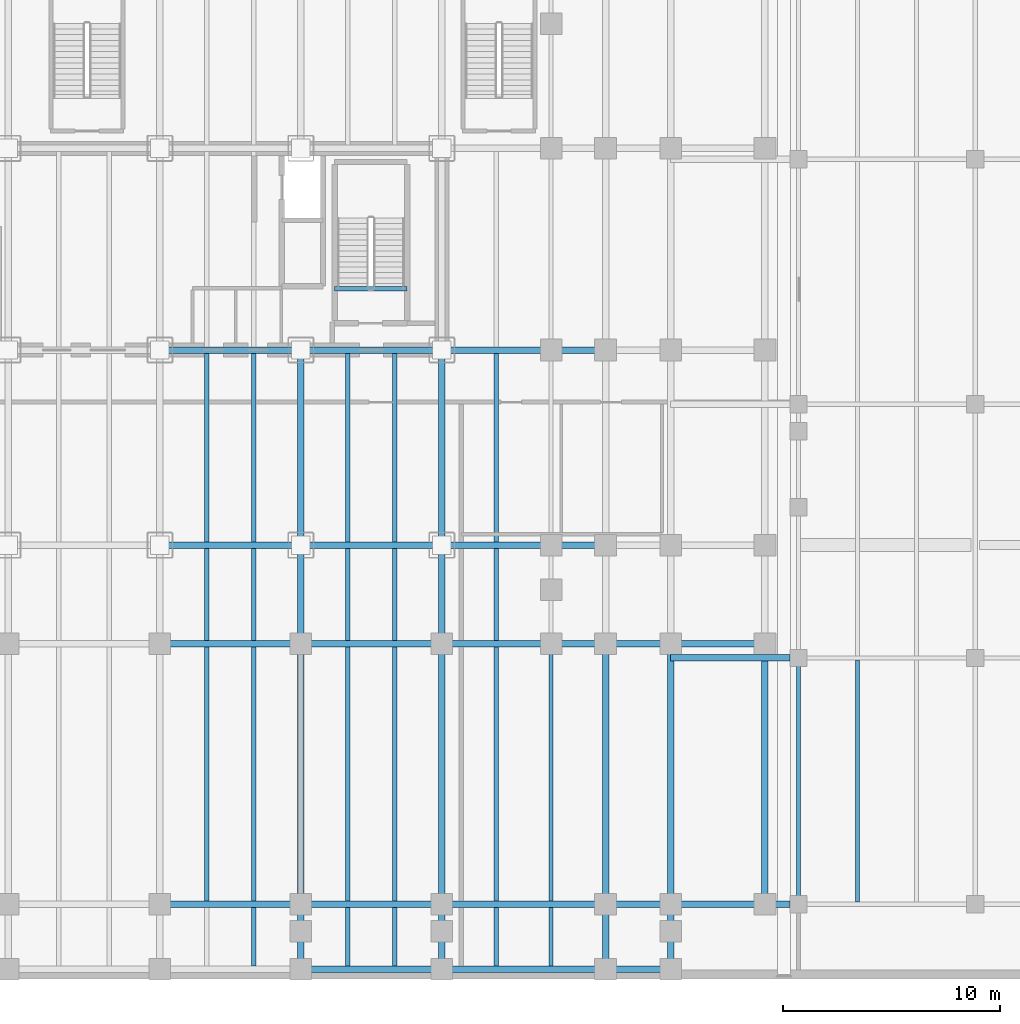
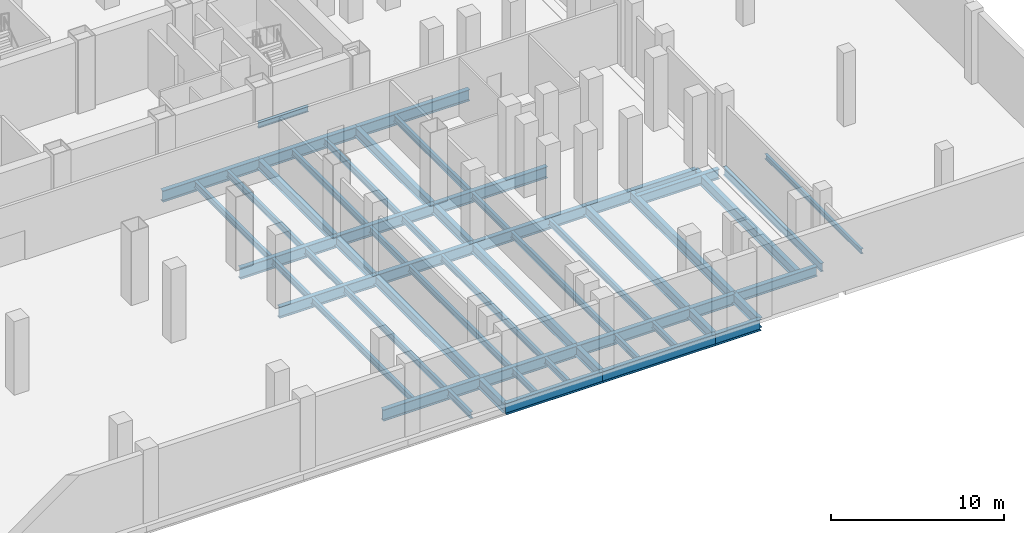
# One storey, part 3 of 15: 57 beams.
"""IFC4 building model written with IfcOpenShell, lengths in metres."""

from ifc_helpers import new_model, si_unit, direction, frame, origin, origin_2d, place, context, subcontext, project, spatial, i_section, extrude, material, material_profile, profile_set, type_object, element, save


model = new_model("IFC4")

# Units and contexts
model_context = context("Model", 3, precision=1e-05, world=origin(), true_north=direction((0.0, 1.0)))
body_context = subcontext(model_context, "Body", "Model", "MODEL_VIEW")
ifc_project = project(units=[si_unit("LENGTHUNIT", "METRE"), si_unit("AREAUNIT", "SQUARE_METRE"), si_unit("VOLUMEUNIT", "CUBIC_METRE"), si_unit("PLANEANGLEUNIT", "RADIAN"), si_unit("MASSUNIT", "GRAM", prefix="KILO")], contexts=[model_context])

# Site, building, storey
site_placement = place(None, origin())
site = spatial("IfcSite", under=ifc_project, at=site_placement, CompositionType="ELEMENT")
building_placement = place(site_placement, origin())
building = spatial("IfcBuilding", under=site, at=building_placement, Name="Noeulbin Bourse Tower", CompositionType="ELEMENT")
storey_placement = place(building_placement, frame((0.0, 0.0, -10.199951171875)))
storey = spatial("IfcBuildingStorey", under=building, at=storey_placement, Name="B02", CompositionType="ELEMENT", Elevation=-10.199951171875)

# Beams
ifc_material = material(Name="Steel S355", Category="steel")
ifc_material_profile_1 = material_profile(ifc_material, i_section(OverallWidth=0.199951171875, OverallDepth=0.60009765625, WebThickness=0.010986328125, FlangeThickness=0.01708984375, FilletRadius=0.02197265625, at=origin_2d()), Name="H-600x200x11x17", Category="LoadBearing")
ifc_profile_set_1 = profile_set([ifc_material_profile_1], Name="Steel S355")
beam_type_1 = type_object("IfcBeamType", Name="BM-GRD-600", PredefinedType="USERDEFINED", material=ifc_profile_set_1)
beam_1_placement = place(storey_placement, frame((60.449951171875, 3.449951171875, -0.580078125), z_axis=(0.0, 1.0, 0.0), x_axis=(-1.0, 0.0, 0.0)))
element("IfcBeam", 1, at=beam_1_placement, inside=storey, type_object=beam_type_1, Name="Market Hall Girder NS B02-11", ObjectType="GIRDER", PredefinedType="USERDEFINED", context=body_context, shape_type="SweptSolid", body=[
    extrude(i_section(OverallWidth=0.199951171875, OverallDepth=0.60009765625, WebThickness=0.010986328125, FlangeThickness=0.01708984375, FilletRadius=0.02197265625, at=origin_2d()), origin(), (0.0, 0.0, 1.0), 11.35009765625),
])
ifc_material_profile_2 = material_profile(ifc_material, i_section(OverallWidth=0.300048828125, OverallDepth=0.699951171875, WebThickness=0.012939453125, FlangeThickness=0.02392578125, FilletRadius=0.02392578125, at=origin_2d()), Name="H-700x300x13x24", Category="LoadBearing")
ifc_profile_set_2 = profile_set([ifc_material_profile_2], Name="Steel S355")
beam_type_2 = type_object("IfcBeamType", Name="BM-GRD-700", PredefinedType="USERDEFINED", material=ifc_profile_set_2)
beam_2_placement = place(storey_placement, frame((37.5, 0.449951171875, -0.630126953125), z_axis=(0.0, 1.0, 0.0), x_axis=(-1.0, 0.0, 0.0)))
element("IfcBeam", 2, at=beam_2_placement, inside=storey, type_object=beam_type_2, Name="Podium Primary Girder NS B02-113", ObjectType="GIRDER", PredefinedType="USERDEFINED", context=body_context, shape_type="SweptSolid", body=[
    extrude(i_section(OverallWidth=0.300048828125, OverallDepth=0.699951171875, WebThickness=0.012939453125, FlangeThickness=0.02392578125, FilletRadius=0.02392578125, at=origin_2d()), origin(), (0.0, 0.0, 1.0), 3.0),
])
beam_3_placement = place(storey_placement, frame((37.5, 3.449951171875, -0.630126953125), z_axis=(0.0, 1.0, 0.0), x_axis=(-1.0, 0.0, 0.0)))
element("IfcBeam", 3, at=beam_3_placement, inside=storey, type_object=beam_type_2, Name="Podium Primary Girder NS B02-114", ObjectType="GIRDER", PredefinedType="USERDEFINED", context=body_context, shape_type="SweptSolid", body=[
    extrude(i_section(OverallWidth=0.300048828125, OverallDepth=0.699951171875, WebThickness=0.012939453125, FlangeThickness=0.02392578125, FilletRadius=0.02392578125, at=origin_2d()), origin(), (0.0, 0.0, 1.0), 12.0),
])
beam_4_placement = place(storey_placement, frame((37.5, 15.449951171875, -0.630126953125), z_axis=(0.0, 1.0, 0.0), x_axis=(-1.0, 0.0, 0.0)))
element("IfcBeam", 4, at=beam_4_placement, inside=storey, type_object=beam_type_2, Name="Podium Primary Girder NS B02-115", ObjectType="GIRDER", PredefinedType="USERDEFINED", context=body_context, shape_type="SweptSolid", body=[
    extrude(i_section(OverallWidth=0.300048828125, OverallDepth=0.699951171875, WebThickness=0.012939453125, FlangeThickness=0.02392578125, FilletRadius=0.02392578125, at=origin_2d()), origin(), (0.0, 0.0, 1.0), 4.550048828125),
])
beam_5_placement = place(storey_placement, frame((37.5, 20.0, -0.630126953125), z_axis=(0.0, 1.0, 0.0), x_axis=(-1.0, 0.0, 0.0)))
element("IfcBeam", 5, at=beam_5_placement, inside=storey, type_object=beam_type_2, Name="Podium Primary Girder NS B02-116", ObjectType="GIRDER", PredefinedType="USERDEFINED", context=body_context, shape_type="SweptSolid", body=[
    extrude(i_section(OverallWidth=0.300048828125, OverallDepth=0.699951171875, WebThickness=0.012939453125, FlangeThickness=0.02392578125, FilletRadius=0.02392578125, at=origin_2d()), origin(), (0.0, 0.0, 1.0), 9.0),
])
beam_6_placement = place(storey_placement, frame((44.0, 0.449951171875, -0.630126953125), z_axis=(0.0, 1.0, 0.0), x_axis=(-1.0, 0.0, 0.0)))
element("IfcBeam", 6, at=beam_6_placement, inside=storey, type_object=beam_type_2, Name="Podium Primary Girder NS B02-120", ObjectType="GIRDER", PredefinedType="USERDEFINED", context=body_context, shape_type="SweptSolid", body=[
    extrude(i_section(OverallWidth=0.300048828125, OverallDepth=0.699951171875, WebThickness=0.012939453125, FlangeThickness=0.02392578125, FilletRadius=0.02392578125, at=origin_2d()), origin(), (0.0, 0.0, 1.0), 3.0),
])
beam_7_placement = place(storey_placement, frame((44.0, 3.449951171875, -0.630126953125), z_axis=(0.0, 1.0, 0.0), x_axis=(-1.0, 0.0, 0.0)))
element("IfcBeam", 7, at=beam_7_placement, inside=storey, type_object=beam_type_2, Name="Podium Primary Girder NS B02-121", ObjectType="GIRDER", PredefinedType="USERDEFINED", context=body_context, shape_type="SweptSolid", body=[
    extrude(i_section(OverallWidth=0.300048828125, OverallDepth=0.699951171875, WebThickness=0.012939453125, FlangeThickness=0.02392578125, FilletRadius=0.02392578125, at=origin_2d()), origin(), (0.0, 0.0, 1.0), 12.0),
])
beam_8_placement = place(storey_placement, frame((44.0, 15.449951171875, -0.630126953125), z_axis=(0.0, 1.0, 0.0), x_axis=(-1.0, 0.0, 0.0)))
element("IfcBeam", 8, at=beam_8_placement, inside=storey, type_object=beam_type_2, Name="Podium Primary Girder NS B02-122", ObjectType="GIRDER", PredefinedType="USERDEFINED", context=body_context, shape_type="SweptSolid", body=[
    extrude(i_section(OverallWidth=0.300048828125, OverallDepth=0.699951171875, WebThickness=0.012939453125, FlangeThickness=0.02392578125, FilletRadius=0.02392578125, at=origin_2d()), origin(), (0.0, 0.0, 1.0), 4.550048828125),
])
beam_9_placement = place(storey_placement, frame((44.0, 20.0, -0.630126953125), z_axis=(0.0, 1.0, 0.0), x_axis=(-1.0, 0.0, 0.0)))
element("IfcBeam", 9, at=beam_9_placement, inside=storey, type_object=beam_type_2, Name="Podium Primary Girder NS B02-123", ObjectType="GIRDER", PredefinedType="USERDEFINED", context=body_context, shape_type="SweptSolid", body=[
    extrude(i_section(OverallWidth=0.300048828125, OverallDepth=0.699951171875, WebThickness=0.012939453125, FlangeThickness=0.02392578125, FilletRadius=0.02392578125, at=origin_2d()), origin(), (0.0, 0.0, 1.0), 9.0),
])
beam_10_placement = place(storey_placement, frame((51.550048828125, 0.449951171875, -0.630126953125), z_axis=(0.0, 1.0, 0.0), x_axis=(-1.0, 0.0, 0.0)))
element("IfcBeam", 10, at=beam_10_placement, inside=storey, type_object=beam_type_2, Name="Podium Primary Girder NS B02-128", ObjectType="GIRDER", PredefinedType="USERDEFINED", context=body_context, shape_type="SweptSolid", body=[
    extrude(i_section(OverallWidth=0.300048828125, OverallDepth=0.699951171875, WebThickness=0.012939453125, FlangeThickness=0.02392578125, FilletRadius=0.02392578125, at=origin_2d()), origin(), (0.0, 0.0, 1.0), 3.0),
])
beam_11_placement = place(storey_placement, frame((51.550048828125, 3.449951171875, -0.630126953125), z_axis=(0.0, 1.0, 0.0), x_axis=(-1.0, 0.0, 0.0)))
element("IfcBeam", 11, at=beam_11_placement, inside=storey, type_object=beam_type_2, Name="Podium Primary Girder NS B02-129", ObjectType="GIRDER", PredefinedType="USERDEFINED", context=body_context, shape_type="SweptSolid", body=[
    extrude(i_section(OverallWidth=0.300048828125, OverallDepth=0.699951171875, WebThickness=0.012939453125, FlangeThickness=0.02392578125, FilletRadius=0.02392578125, at=origin_2d()), origin(), (0.0, 0.0, 1.0), 12.0),
])
beam_12_placement = place(storey_placement, frame((54.550048828125, 0.449951171875, -0.630126953125), z_axis=(0.0, 1.0, 0.0), x_axis=(-1.0, 0.0, 0.0)))
element("IfcBeam", 12, at=beam_12_placement, inside=storey, type_object=beam_type_2, Name="Podium Primary Girder NS B02-136", ObjectType="GIRDER", PredefinedType="USERDEFINED", context=body_context, shape_type="SweptSolid", body=[
    extrude(i_section(OverallWidth=0.300048828125, OverallDepth=0.699951171875, WebThickness=0.012939453125, FlangeThickness=0.02392578125, FilletRadius=0.02392578125, at=origin_2d()), origin(), (0.0, 0.0, 1.0), 3.0),
])
beam_13_placement = place(storey_placement, frame((54.550048828125, 3.449951171875, -0.630126953125), z_axis=(0.0, 1.0, 0.0), x_axis=(-1.0, 0.0, 0.0)))
element("IfcBeam", 13, at=beam_13_placement, inside=storey, type_object=beam_type_2, Name="Podium Primary Girder NS B02-137", ObjectType="GIRDER", PredefinedType="USERDEFINED", context=body_context, shape_type="SweptSolid", body=[
    extrude(i_section(OverallWidth=0.300048828125, OverallDepth=0.699951171875, WebThickness=0.012939453125, FlangeThickness=0.02392578125, FilletRadius=0.02392578125, at=origin_2d()), origin(), (0.0, 0.0, 1.0), 12.0),
])
for number, where, z_axis, x_axis, name in (
    (14, (54.550048828125, 3.449951171875, -0.630126953125), (1.0, 0.0, 0.0), (0.0, 1.0, 0.0), "Concourse Slot Girder B02-01"),
    (15, (54.550048828125, 14.800048828125, -0.630126953125), (1.0, 0.0, 0.0), (0.0, 1.0, 0.0), "Concourse Slot Girder B02-02"),
):
    element("IfcBeam", number, at=place(storey_placement, frame(where, z_axis=z_axis, x_axis=x_axis)), inside=storey, type_object=beam_type_2, Name=name, ObjectType="GIRDER", PredefinedType="USERDEFINED", context=body_context, shape_type="SweptSolid", body=[
        extrude(i_section(OverallWidth=0.300048828125, OverallDepth=0.699951171875, WebThickness=0.012939453125, FlangeThickness=0.02392578125, FilletRadius=0.02392578125, at=origin_2d()), origin(), (0.0, 0.0, 1.0), 5.5),
    ])
beam_14_placement = place(storey_placement, frame((54.550048828125, 15.449951171875, -0.630126953125), z_axis=(1.0, 0.0, 0.0), x_axis=(0.0, 1.0, 0.0)))
element("IfcBeam", 16, at=beam_14_placement, inside=storey, type_object=beam_type_2, Name="BM-B02-JNT-EW-2", ObjectType="GIRDER", PredefinedType="USERDEFINED", context=body_context, shape_type="SweptSolid", body=[
    extrude(i_section(OverallWidth=0.300048828125, OverallDepth=0.699951171875, WebThickness=0.012939453125, FlangeThickness=0.02392578125, FilletRadius=0.02392578125, at=origin_2d()), origin(), (0.0, 0.0, 1.0), 4.349853515625),
])
beam_15_placement = place(storey_placement, frame((58.89990234375, 3.449951171875, -0.630126953125), z_axis=(0.0, 1.0, 0.0), x_axis=(-1.0, 0.0, 0.0)))
element("IfcBeam", 17, at=beam_15_placement, inside=storey, type_object=beam_type_2, Name="BM-B02-JNT-NS-1", ObjectType="GIRDER", PredefinedType="USERDEFINED", context=body_context, shape_type="SweptSolid", body=[
    extrude(i_section(OverallWidth=0.300048828125, OverallDepth=0.699951171875, WebThickness=0.012939453125, FlangeThickness=0.02392578125, FilletRadius=0.02392578125, at=origin_2d()), origin(), (0.0, 0.0, 1.0), 12.0),
])
ifc_material_profile_3 = material_profile(ifc_material, i_section(OverallWidth=0.300048828125, OverallDepth=0.800048828125, WebThickness=0.013916015625, FlangeThickness=0.02587890625, FilletRadius=0.02587890625, at=origin_2d()), Name="H-800x300x14x26", Category="LoadBearing")
ifc_profile_set_3 = profile_set([ifc_material_profile_3], Name="Steel S355")
beam_type_3 = type_object("IfcBeamType", Name="BM-GRD-800", PredefinedType="USERDEFINED", material=ifc_profile_set_3)
beam_16_placement = place(storey_placement, frame((37.5, 0.449951171875, -0.679931640625), z_axis=(1.0, 0.0, 0.0), x_axis=(0.0, 1.0, 0.0)))
element("IfcBeam", 18, at=beam_16_placement, inside=storey, type_object=beam_type_3, Name="Podium Primary Girder EW B02-006", ObjectType="GIRDER", PredefinedType="USERDEFINED", context=body_context, shape_type="SweptSolid", body=[
    extrude(i_section(OverallWidth=0.300048828125, OverallDepth=0.800048828125, WebThickness=0.013916015625, FlangeThickness=0.02587890625, FilletRadius=0.02587890625, at=origin_2d()), origin(), (0.0, 0.0, 1.0), 6.5),
])
beam_17_placement = place(storey_placement, frame((44.0, 0.449951171875, -0.679931640625), z_axis=(1.0, 0.0, 0.0), x_axis=(0.0, 1.0, 0.0)))
element("IfcBeam", 19, at=beam_17_placement, inside=storey, type_object=beam_type_3, Name="Podium Primary Girder EW B02-007", ObjectType="GIRDER", PredefinedType="USERDEFINED", context=body_context, shape_type="SweptSolid", body=[
    extrude(i_section(OverallWidth=0.300048828125, OverallDepth=0.800048828125, WebThickness=0.013916015625, FlangeThickness=0.02587890625, FilletRadius=0.02587890625, at=origin_2d()), origin(), (0.0, 0.0, 1.0), 7.550048828125),
])
beam_18_placement = place(storey_placement, frame((51.550048828125, 0.449951171875, -0.679931640625), z_axis=(1.0, 0.0, 0.0), x_axis=(0.0, 1.0, 0.0)))
element("IfcBeam", 20, at=beam_18_placement, inside=storey, type_object=beam_type_3, Name="Podium Primary Girder EW B02-008", ObjectType="GIRDER", PredefinedType="USERDEFINED", context=body_context, shape_type="SweptSolid", body=[
    extrude(i_section(OverallWidth=0.300048828125, OverallDepth=0.800048828125, WebThickness=0.013916015625, FlangeThickness=0.02587890625, FilletRadius=0.02587890625, at=origin_2d()), origin(), (0.0, 0.0, 1.0), 3.0),
])
for number, where, z_axis, x_axis, name in (
    (21, (31.0, 3.449951171875, -0.679931640625), (1.0, 0.0, 0.0), (0.0, 1.0, 0.0), "Podium Primary Girder EW B02-013"),
    (22, (37.5, 3.449951171875, -0.679931640625), (1.0, 0.0, 0.0), (0.0, 1.0, 0.0), "Podium Primary Girder EW B02-014"),
):
    element("IfcBeam", number, at=place(storey_placement, frame(where, z_axis=z_axis, x_axis=x_axis)), inside=storey, type_object=beam_type_3, Name=name, ObjectType="GIRDER", PredefinedType="USERDEFINED", context=body_context, shape_type="SweptSolid", body=[
        extrude(i_section(OverallWidth=0.300048828125, OverallDepth=0.800048828125, WebThickness=0.013916015625, FlangeThickness=0.02587890625, FilletRadius=0.02587890625, at=origin_2d()), origin(), (0.0, 0.0, 1.0), 6.5),
    ])
beam_19_placement = place(storey_placement, frame((44.0, 3.449951171875, -0.679931640625), z_axis=(1.0, 0.0, 0.0), x_axis=(0.0, 1.0, 0.0)))
element("IfcBeam", 23, at=beam_19_placement, inside=storey, type_object=beam_type_3, Name="Podium Primary Girder EW B02-015", ObjectType="GIRDER", PredefinedType="USERDEFINED", context=body_context, shape_type="SweptSolid", body=[
    extrude(i_section(OverallWidth=0.300048828125, OverallDepth=0.800048828125, WebThickness=0.013916015625, FlangeThickness=0.02587890625, FilletRadius=0.02587890625, at=origin_2d()), origin(), (0.0, 0.0, 1.0), 7.550048828125),
])
beam_20_placement = place(storey_placement, frame((51.550048828125, 3.449951171875, -0.679931640625), z_axis=(1.0, 0.0, 0.0), x_axis=(0.0, 1.0, 0.0)))
element("IfcBeam", 24, at=beam_20_placement, inside=storey, type_object=beam_type_3, Name="Podium Primary Girder EW B02-016", ObjectType="GIRDER", PredefinedType="USERDEFINED", context=body_context, shape_type="SweptSolid", body=[
    extrude(i_section(OverallWidth=0.300048828125, OverallDepth=0.800048828125, WebThickness=0.013916015625, FlangeThickness=0.02587890625, FilletRadius=0.02587890625, at=origin_2d()), origin(), (0.0, 0.0, 1.0), 3.0),
])
for number, where, z_axis, x_axis, name in (
    (25, (31.0, 15.449951171875, -0.679931640625), (1.0, 0.0, 0.0), (0.0, 1.0, 0.0), "Podium Primary Girder EW B02-021"),
    (26, (37.5, 15.449951171875, -0.679931640625), (1.0, 0.0, 0.0), (0.0, 1.0, 0.0), "Podium Primary Girder EW B02-022"),
):
    element("IfcBeam", number, at=place(storey_placement, frame(where, z_axis=z_axis, x_axis=x_axis)), inside=storey, type_object=beam_type_3, Name=name, ObjectType="GIRDER", PredefinedType="USERDEFINED", context=body_context, shape_type="SweptSolid", body=[
        extrude(i_section(OverallWidth=0.300048828125, OverallDepth=0.800048828125, WebThickness=0.013916015625, FlangeThickness=0.02587890625, FilletRadius=0.02587890625, at=origin_2d()), origin(), (0.0, 0.0, 1.0), 6.5),
    ])
beam_21_placement = place(storey_placement, frame((44.0, 15.449951171875, -0.679931640625), z_axis=(1.0, 0.0, 0.0), x_axis=(0.0, 1.0, 0.0)))
element("IfcBeam", 27, at=beam_21_placement, inside=storey, type_object=beam_type_3, Name="Podium Primary Girder EW B02-023", ObjectType="GIRDER", PredefinedType="USERDEFINED", context=body_context, shape_type="SweptSolid", body=[
    extrude(i_section(OverallWidth=0.300048828125, OverallDepth=0.800048828125, WebThickness=0.013916015625, FlangeThickness=0.02587890625, FilletRadius=0.02587890625, at=origin_2d()), origin(), (0.0, 0.0, 1.0), 7.550048828125),
])
beam_22_placement = place(storey_placement, frame((51.550048828125, 15.449951171875, -0.679931640625), z_axis=(1.0, 0.0, 0.0), x_axis=(0.0, 1.0, 0.0)))
element("IfcBeam", 28, at=beam_22_placement, inside=storey, type_object=beam_type_3, Name="Podium Primary Girder EW B02-024", ObjectType="GIRDER", PredefinedType="USERDEFINED", context=body_context, shape_type="SweptSolid", body=[
    extrude(i_section(OverallWidth=0.300048828125, OverallDepth=0.800048828125, WebThickness=0.013916015625, FlangeThickness=0.02587890625, FilletRadius=0.02587890625, at=origin_2d()), origin(), (0.0, 0.0, 1.0), 3.0),
])
for number, where, z_axis, x_axis, name in (
    (29, (31.0, 20.0, -0.679931640625), (1.0, 0.0, 0.0), (0.0, 1.0, 0.0), "Podium Primary Girder EW B02-029"),
    (30, (37.5, 20.0, -0.679931640625), (1.0, 0.0, 0.0), (0.0, 1.0, 0.0), "Podium Primary Girder EW B02-030"),
):
    element("IfcBeam", number, at=place(storey_placement, frame(where, z_axis=z_axis, x_axis=x_axis)), inside=storey, type_object=beam_type_3, Name=name, ObjectType="GIRDER", PredefinedType="USERDEFINED", context=body_context, shape_type="SweptSolid", body=[
        extrude(i_section(OverallWidth=0.300048828125, OverallDepth=0.800048828125, WebThickness=0.013916015625, FlangeThickness=0.02587890625, FilletRadius=0.02587890625, at=origin_2d()), origin(), (0.0, 0.0, 1.0), 6.5),
    ])
beam_23_placement = place(storey_placement, frame((44.0, 20.0, -0.679931640625), z_axis=(1.0, 0.0, 0.0), x_axis=(0.0, 1.0, 0.0)))
element("IfcBeam", 31, at=beam_23_placement, inside=storey, type_object=beam_type_3, Name="Podium Primary Girder EW B02-031", ObjectType="GIRDER", PredefinedType="USERDEFINED", context=body_context, shape_type="SweptSolid", body=[
    extrude(i_section(OverallWidth=0.300048828125, OverallDepth=0.800048828125, WebThickness=0.013916015625, FlangeThickness=0.02587890625, FilletRadius=0.02587890625, at=origin_2d()), origin(), (0.0, 0.0, 1.0), 7.550048828125),
])
for number, where, z_axis, x_axis, name in (
    (32, (31.0, 29.0, -0.679931640625), (1.0, 0.0, 0.0), (0.0, 1.0, 0.0), "Podium Primary Girder EW B02-037"),
    (33, (37.5, 29.0, -0.679931640625), (1.0, 0.0, 0.0), (0.0, 1.0, 0.0), "Podium Primary Girder EW B02-038"),
):
    element("IfcBeam", number, at=place(storey_placement, frame(where, z_axis=z_axis, x_axis=x_axis)), inside=storey, type_object=beam_type_3, Name=name, ObjectType="GIRDER", PredefinedType="USERDEFINED", context=body_context, shape_type="SweptSolid", body=[
        extrude(i_section(OverallWidth=0.300048828125, OverallDepth=0.800048828125, WebThickness=0.013916015625, FlangeThickness=0.02587890625, FilletRadius=0.02587890625, at=origin_2d()), origin(), (0.0, 0.0, 1.0), 6.5),
    ])
beam_24_placement = place(storey_placement, frame((44.0, 29.0, -0.679931640625), z_axis=(1.0, 0.0, 0.0), x_axis=(0.0, 1.0, 0.0)))
element("IfcBeam", 34, at=beam_24_placement, inside=storey, type_object=beam_type_3, Name="Podium Primary Girder EW B02-039", ObjectType="GIRDER", PredefinedType="USERDEFINED", context=body_context, shape_type="SweptSolid", body=[
    extrude(i_section(OverallWidth=0.300048828125, OverallDepth=0.800048828125, WebThickness=0.013916015625, FlangeThickness=0.02587890625, FilletRadius=0.02587890625, at=origin_2d()), origin(), (0.0, 0.0, 1.0), 7.550048828125),
])
ifc_material_profile_4 = material_profile(ifc_material, i_section(OverallWidth=0.175048828125, OverallDepth=0.35009765625, WebThickness=0.007080078125, FlangeThickness=0.010986328125, FilletRadius=0.013916015625, at=origin_2d()), Name="H-350x175x7x11", Category="LoadBearing")
ifc_profile_set_4 = profile_set([ifc_material_profile_4], Name="Steel S355")
beam_type_4 = type_object("IfcBeamType", Name="BM-JST-350", PredefinedType="JOIST", material=ifc_profile_set_4)
beam_25_placement = place(storey_placement, frame((63.166748046875, 3.550048828125, -0.455078125), z_axis=(0.0, 1.0, 0.0), x_axis=(-1.0, 0.0, 0.0)))
element("IfcBeam", 35, at=beam_25_placement, inside=storey, type_object=beam_type_4, Name="Market Hall Secondary Joist B02-01", PredefinedType="JOIST", context=body_context, shape_type="SweptSolid", body=[
    extrude(i_section(OverallWidth=0.175048828125, OverallDepth=0.35009765625, WebThickness=0.007080078125, FlangeThickness=0.010986328125, FilletRadius=0.013916015625, at=origin_2d()), origin(), (0.0, 0.0, 1.0), 11.14990234375),
])
ifc_material_profile_5 = material_profile(ifc_material, i_section(OverallWidth=0.199951171875, OverallDepth=0.39990234375, WebThickness=0.008056640625, FlangeThickness=0.012939453125, FilletRadius=0.01611328125, at=origin_2d()), Name="H-400x200x8x13", Category="LoadBearing")
ifc_profile_set_5 = profile_set([ifc_material_profile_5], Name="Steel S355")
beam_type_5 = type_object("IfcBeamType", Name="BM-SEC-400", PredefinedType="BEAM", material=ifc_profile_set_5)
beam_26_placement = place(storey_placement, frame((39.06005859375, 31.820068359375, -0.199951171875), z_axis=(1.0, 0.0, 0.0), x_axis=(0.0, 1.0, 0.0)))
element("IfcBeam", 36, at=beam_26_placement, inside=storey, type_object=beam_type_5, Name="Stair Threshold Trimmer Beam ST2-B02", PredefinedType="BEAM", context=body_context, shape_type="SweptSolid", body=[
    extrude(i_section(OverallWidth=0.199951171875, OverallDepth=0.39990234375, WebThickness=0.008056640625, FlangeThickness=0.012939453125, FilletRadius=0.01611328125, at=origin_2d()), origin(), (0.0, 0.0, 1.0), 3.33984375),
])
ifc_material_profile_6 = material_profile(ifc_material, i_section(OverallWidth=0.199951171875, OverallDepth=0.449951171875, WebThickness=0.009033203125, FlangeThickness=0.013916015625, FilletRadius=0.01806640625, at=origin_2d()), Name="H-450x200x9x14", Category="LoadBearing")
ifc_profile_set_6 = profile_set([ifc_material_profile_6], Name="Steel S355")
beam_type_6 = type_object("IfcBeamType", Name="BM-SEC-450", PredefinedType="BEAM", material=ifc_profile_set_6)
beam_27_placement = place(storey_placement, frame((33.166748046875, 3.60009765625, -0.505126953125), z_axis=(0.0, 1.0, 0.0), x_axis=(-1.0, 0.0, 0.0)))
element("IfcBeam", 37, at=beam_27_placement, inside=storey, type_object=beam_type_6, Name="Podium Secondary Beam B02-074", PredefinedType="BEAM", context=body_context, shape_type="SweptSolid", body=[
    extrude(i_section(OverallWidth=0.199951171875, OverallDepth=0.449951171875, WebThickness=0.009033203125, FlangeThickness=0.013916015625, FilletRadius=0.01806640625, at=origin_2d()), origin(), (0.0, 0.0, 1.0), 11.699951171875),
])
beam_28_placement = place(storey_placement, frame((33.166748046875, 15.60009765625, -0.505126953125), z_axis=(0.0, 1.0, 0.0), x_axis=(-1.0, 0.0, 0.0)))
element("IfcBeam", 38, at=beam_28_placement, inside=storey, type_object=beam_type_6, Name="Podium Secondary Beam B02-075", PredefinedType="BEAM", context=body_context, shape_type="SweptSolid", body=[
    extrude(i_section(OverallWidth=0.199951171875, OverallDepth=0.449951171875, WebThickness=0.009033203125, FlangeThickness=0.013916015625, FilletRadius=0.01806640625, at=origin_2d()), origin(), (0.0, 0.0, 1.0), 4.25),
])
beam_29_placement = place(storey_placement, frame((33.166748046875, 20.14990234375, -0.505126953125), z_axis=(0.0, 1.0, 0.0), x_axis=(-1.0, 0.0, 0.0)))
element("IfcBeam", 39, at=beam_29_placement, inside=storey, type_object=beam_type_6, Name="Podium Secondary Beam B02-076", PredefinedType="BEAM", context=body_context, shape_type="SweptSolid", body=[
    extrude(i_section(OverallWidth=0.199951171875, OverallDepth=0.449951171875, WebThickness=0.009033203125, FlangeThickness=0.013916015625, FilletRadius=0.01806640625, at=origin_2d()), origin(), (0.0, 0.0, 1.0), 8.7001953125),
])
beam_30_placement = place(storey_placement, frame((35.333251953125, 0.60009765625, -0.505126953125), z_axis=(0.0, 1.0, 0.0), x_axis=(-1.0, 0.0, 0.0)))
element("IfcBeam", 40, at=beam_30_placement, inside=storey, type_object=beam_type_6, Name="Podium Secondary Beam B02-081", PredefinedType="BEAM", context=body_context, shape_type="SweptSolid", body=[
    extrude(i_section(OverallWidth=0.199951171875, OverallDepth=0.449951171875, WebThickness=0.009033203125, FlangeThickness=0.013916015625, FilletRadius=0.01806640625, at=origin_2d()), origin(), (0.0, 0.0, 1.0), 2.699951171875),
])
beam_31_placement = place(storey_placement, frame((35.333251953125, 3.60009765625, -0.505126953125), z_axis=(0.0, 1.0, 0.0), x_axis=(-1.0, 0.0, 0.0)))
element("IfcBeam", 41, at=beam_31_placement, inside=storey, type_object=beam_type_6, Name="Podium Secondary Beam B02-082", PredefinedType="BEAM", context=body_context, shape_type="SweptSolid", body=[
    extrude(i_section(OverallWidth=0.199951171875, OverallDepth=0.449951171875, WebThickness=0.009033203125, FlangeThickness=0.013916015625, FilletRadius=0.01806640625, at=origin_2d()), origin(), (0.0, 0.0, 1.0), 11.699951171875),
])
beam_32_placement = place(storey_placement, frame((35.333251953125, 15.60009765625, -0.505126953125), z_axis=(0.0, 1.0, 0.0), x_axis=(-1.0, 0.0, 0.0)))
element("IfcBeam", 42, at=beam_32_placement, inside=storey, type_object=beam_type_6, Name="Podium Secondary Beam B02-083", PredefinedType="BEAM", context=body_context, shape_type="SweptSolid", body=[
    extrude(i_section(OverallWidth=0.199951171875, OverallDepth=0.449951171875, WebThickness=0.009033203125, FlangeThickness=0.013916015625, FilletRadius=0.01806640625, at=origin_2d()), origin(), (0.0, 0.0, 1.0), 4.25),
])
beam_33_placement = place(storey_placement, frame((35.333251953125, 20.14990234375, -0.505126953125), z_axis=(0.0, 1.0, 0.0), x_axis=(-1.0, 0.0, 0.0)))
element("IfcBeam", 43, at=beam_33_placement, inside=storey, type_object=beam_type_6, Name="Podium Secondary Beam B02-084", PredefinedType="BEAM", context=body_context, shape_type="SweptSolid", body=[
    extrude(i_section(OverallWidth=0.199951171875, OverallDepth=0.449951171875, WebThickness=0.009033203125, FlangeThickness=0.013916015625, FilletRadius=0.01806640625, at=origin_2d()), origin(), (0.0, 0.0, 1.0), 8.7001953125),
])
beam_34_placement = place(storey_placement, frame((39.666748046875, 0.60009765625, -0.505126953125), z_axis=(0.0, 1.0, 0.0), x_axis=(-1.0, 0.0, 0.0)))
element("IfcBeam", 44, at=beam_34_placement, inside=storey, type_object=beam_type_6, Name="Podium Secondary Beam B02-089", PredefinedType="BEAM", context=body_context, shape_type="SweptSolid", body=[
    extrude(i_section(OverallWidth=0.199951171875, OverallDepth=0.449951171875, WebThickness=0.009033203125, FlangeThickness=0.013916015625, FilletRadius=0.01806640625, at=origin_2d()), origin(), (0.0, 0.0, 1.0), 2.699951171875),
])
beam_35_placement = place(storey_placement, frame((39.666748046875, 3.60009765625, -0.505126953125), z_axis=(0.0, 1.0, 0.0), x_axis=(-1.0, 0.0, 0.0)))
element("IfcBeam", 45, at=beam_35_placement, inside=storey, type_object=beam_type_6, Name="Podium Secondary Beam B02-090", PredefinedType="BEAM", context=body_context, shape_type="SweptSolid", body=[
    extrude(i_section(OverallWidth=0.199951171875, OverallDepth=0.449951171875, WebThickness=0.009033203125, FlangeThickness=0.013916015625, FilletRadius=0.01806640625, at=origin_2d()), origin(), (0.0, 0.0, 1.0), 11.699951171875),
])
beam_36_placement = place(storey_placement, frame((39.666748046875, 15.60009765625, -0.505126953125), z_axis=(0.0, 1.0, 0.0), x_axis=(-1.0, 0.0, 0.0)))
element("IfcBeam", 46, at=beam_36_placement, inside=storey, type_object=beam_type_6, Name="Podium Secondary Beam B02-091", PredefinedType="BEAM", context=body_context, shape_type="SweptSolid", body=[
    extrude(i_section(OverallWidth=0.199951171875, OverallDepth=0.449951171875, WebThickness=0.009033203125, FlangeThickness=0.013916015625, FilletRadius=0.01806640625, at=origin_2d()), origin(), (0.0, 0.0, 1.0), 4.25),
])
beam_37_placement = place(storey_placement, frame((39.666748046875, 20.14990234375, -0.505126953125), z_axis=(0.0, 1.0, 0.0), x_axis=(-1.0, 0.0, 0.0)))
element("IfcBeam", 47, at=beam_37_placement, inside=storey, type_object=beam_type_6, Name="Podium Secondary Beam B02-092", PredefinedType="BEAM", context=body_context, shape_type="SweptSolid", body=[
    extrude(i_section(OverallWidth=0.199951171875, OverallDepth=0.449951171875, WebThickness=0.009033203125, FlangeThickness=0.013916015625, FilletRadius=0.01806640625, at=origin_2d()), origin(), (0.0, 0.0, 1.0), 8.7001953125),
])
beam_38_placement = place(storey_placement, frame((41.833251953125, 0.60009765625, -0.505126953125), z_axis=(0.0, 1.0, 0.0), x_axis=(-1.0, 0.0, 0.0)))
element("IfcBeam", 48, at=beam_38_placement, inside=storey, type_object=beam_type_6, Name="Podium Secondary Beam B02-096", PredefinedType="BEAM", context=body_context, shape_type="SweptSolid", body=[
    extrude(i_section(OverallWidth=0.199951171875, OverallDepth=0.449951171875, WebThickness=0.009033203125, FlangeThickness=0.013916015625, FilletRadius=0.01806640625, at=origin_2d()), origin(), (0.0, 0.0, 1.0), 2.699951171875),
])
beam_39_placement = place(storey_placement, frame((41.833251953125, 3.60009765625, -0.505126953125), z_axis=(0.0, 1.0, 0.0), x_axis=(-1.0, 0.0, 0.0)))
element("IfcBeam", 49, at=beam_39_placement, inside=storey, type_object=beam_type_6, Name="Podium Secondary Beam B02-097", PredefinedType="BEAM", context=body_context, shape_type="SweptSolid", body=[
    extrude(i_section(OverallWidth=0.199951171875, OverallDepth=0.449951171875, WebThickness=0.009033203125, FlangeThickness=0.013916015625, FilletRadius=0.01806640625, at=origin_2d()), origin(), (0.0, 0.0, 1.0), 11.699951171875),
])
beam_40_placement = place(storey_placement, frame((41.833251953125, 15.60009765625, -0.505126953125), z_axis=(0.0, 1.0, 0.0), x_axis=(-1.0, 0.0, 0.0)))
element("IfcBeam", 50, at=beam_40_placement, inside=storey, type_object=beam_type_6, Name="Podium Secondary Beam B02-098", PredefinedType="BEAM", context=body_context, shape_type="SweptSolid", body=[
    extrude(i_section(OverallWidth=0.199951171875, OverallDepth=0.449951171875, WebThickness=0.009033203125, FlangeThickness=0.013916015625, FilletRadius=0.01806640625, at=origin_2d()), origin(), (0.0, 0.0, 1.0), 4.25),
])
beam_41_placement = place(storey_placement, frame((41.833251953125, 20.14990234375, -0.505126953125), z_axis=(0.0, 1.0, 0.0), x_axis=(-1.0, 0.0, 0.0)))
element("IfcBeam", 51, at=beam_41_placement, inside=storey, type_object=beam_type_6, Name="Podium Secondary Beam B02-099", PredefinedType="BEAM", context=body_context, shape_type="SweptSolid", body=[
    extrude(i_section(OverallWidth=0.199951171875, OverallDepth=0.449951171875, WebThickness=0.009033203125, FlangeThickness=0.013916015625, FilletRadius=0.01806640625, at=origin_2d()), origin(), (0.0, 0.0, 1.0), 8.7001953125),
])
beam_42_placement = place(storey_placement, frame((46.5166015625, 0.60009765625, -0.505126953125), z_axis=(0.0, 1.0, 0.0), x_axis=(-1.0, 0.0, 0.0)))
element("IfcBeam", 52, at=beam_42_placement, inside=storey, type_object=beam_type_6, Name="Podium Secondary Beam B02-103", PredefinedType="BEAM", context=body_context, shape_type="SweptSolid", body=[
    extrude(i_section(OverallWidth=0.199951171875, OverallDepth=0.449951171875, WebThickness=0.009033203125, FlangeThickness=0.013916015625, FilletRadius=0.01806640625, at=origin_2d()), origin(), (0.0, 0.0, 1.0), 2.699951171875),
])
beam_43_placement = place(storey_placement, frame((46.5166015625, 3.60009765625, -0.505126953125), z_axis=(0.0, 1.0, 0.0), x_axis=(-1.0, 0.0, 0.0)))
element("IfcBeam", 53, at=beam_43_placement, inside=storey, type_object=beam_type_6, Name="Podium Secondary Beam B02-104", PredefinedType="BEAM", context=body_context, shape_type="SweptSolid", body=[
    extrude(i_section(OverallWidth=0.199951171875, OverallDepth=0.449951171875, WebThickness=0.009033203125, FlangeThickness=0.013916015625, FilletRadius=0.01806640625, at=origin_2d()), origin(), (0.0, 0.0, 1.0), 11.699951171875),
])
beam_44_placement = place(storey_placement, frame((46.5166015625, 15.60009765625, -0.505126953125), z_axis=(0.0, 1.0, 0.0), x_axis=(-1.0, 0.0, 0.0)))
element("IfcBeam", 54, at=beam_44_placement, inside=storey, type_object=beam_type_6, Name="Podium Secondary Beam B02-105", PredefinedType="BEAM", context=body_context, shape_type="SweptSolid", body=[
    extrude(i_section(OverallWidth=0.199951171875, OverallDepth=0.449951171875, WebThickness=0.009033203125, FlangeThickness=0.013916015625, FilletRadius=0.01806640625, at=origin_2d()), origin(), (0.0, 0.0, 1.0), 4.25),
])
beam_45_placement = place(storey_placement, frame((46.5166015625, 20.14990234375, -0.505126953125), z_axis=(0.0, 1.0, 0.0), x_axis=(-1.0, 0.0, 0.0)))
element("IfcBeam", 55, at=beam_45_placement, inside=storey, type_object=beam_type_6, Name="Podium Secondary Beam B02-106", PredefinedType="BEAM", context=body_context, shape_type="SweptSolid", body=[
    extrude(i_section(OverallWidth=0.199951171875, OverallDepth=0.449951171875, WebThickness=0.009033203125, FlangeThickness=0.013916015625, FilletRadius=0.01806640625, at=origin_2d()), origin(), (0.0, 0.0, 1.0), 8.7001953125),
])
beam_46_placement = place(storey_placement, frame((49.033203125, 0.60009765625, -0.505126953125), z_axis=(0.0, 1.0, 0.0), x_axis=(-1.0, 0.0, 0.0)))
element("IfcBeam", 56, at=beam_46_placement, inside=storey, type_object=beam_type_6, Name="Podium Secondary Beam B02-110", PredefinedType="BEAM", context=body_context, shape_type="SweptSolid", body=[
    extrude(i_section(OverallWidth=0.199951171875, OverallDepth=0.449951171875, WebThickness=0.009033203125, FlangeThickness=0.013916015625, FilletRadius=0.01806640625, at=origin_2d()), origin(), (0.0, 0.0, 1.0), 2.699951171875),
])
beam_47_placement = place(storey_placement, frame((49.033203125, 3.60009765625, -0.505126953125), z_axis=(0.0, 1.0, 0.0), x_axis=(-1.0, 0.0, 0.0)))
element("IfcBeam", 57, at=beam_47_placement, inside=storey, type_object=beam_type_6, Name="Podium Secondary Beam B02-111", PredefinedType="BEAM", context=body_context, shape_type="SweptSolid", body=[
    extrude(i_section(OverallWidth=0.199951171875, OverallDepth=0.449951171875, WebThickness=0.009033203125, FlangeThickness=0.013916015625, FilletRadius=0.01806640625, at=origin_2d()), origin(), (0.0, 0.0, 1.0), 11.699951171875),
])

save(model, "model.ifc")
